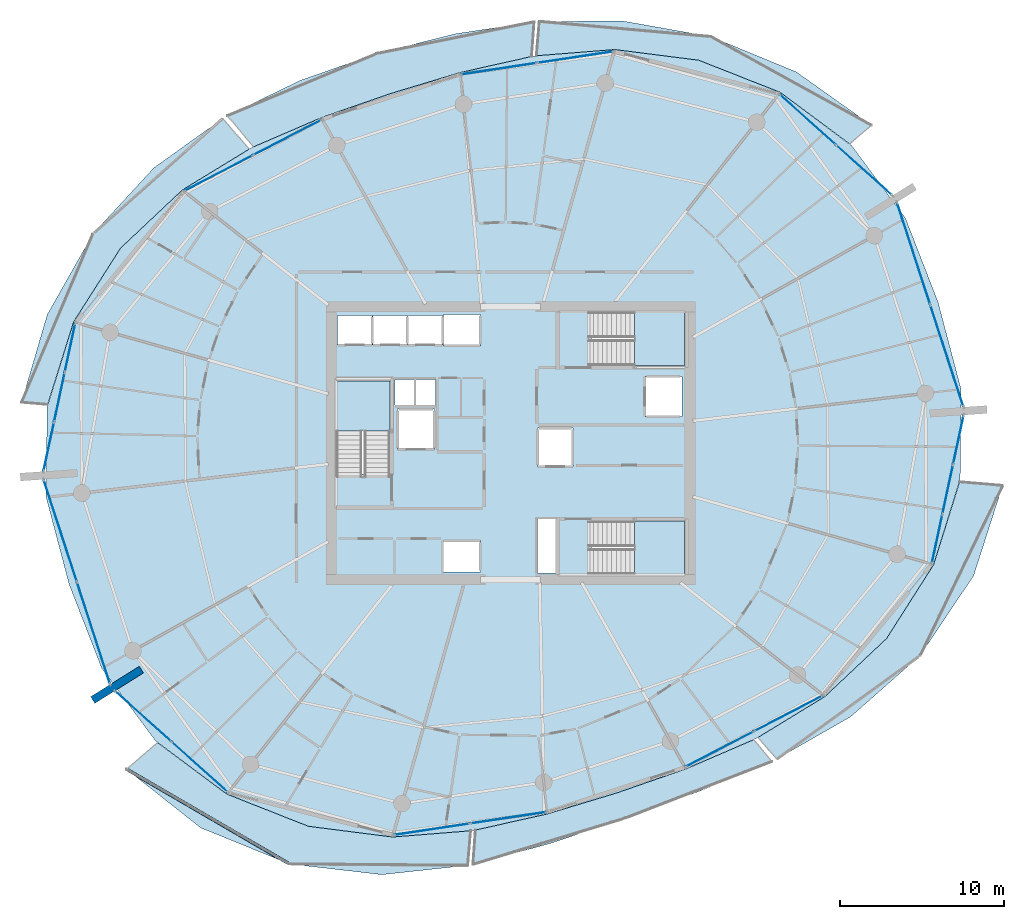
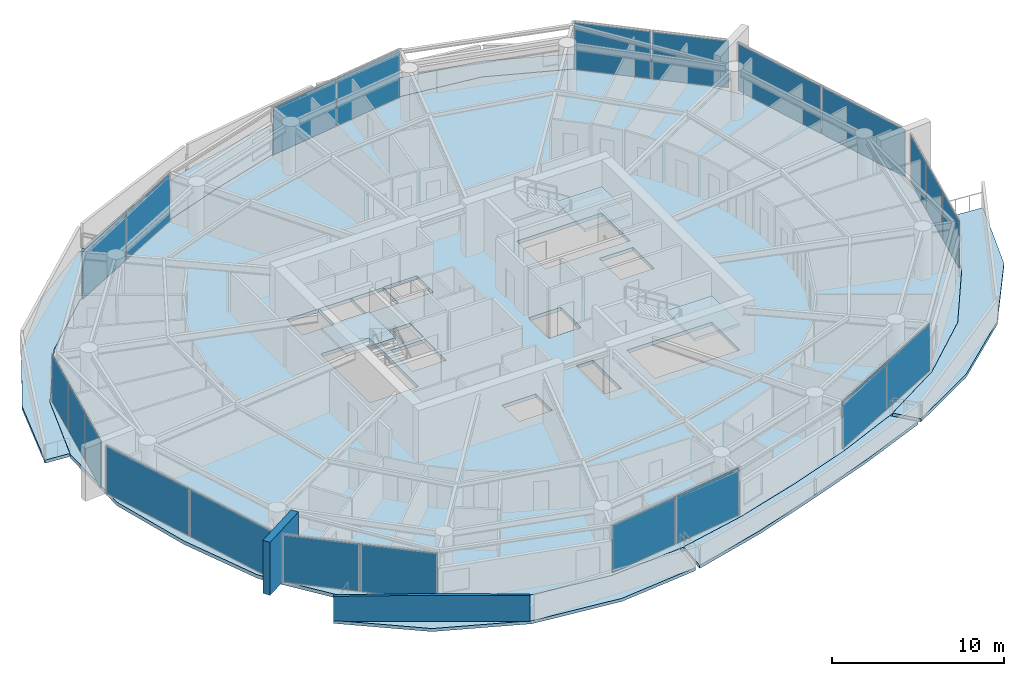
# One storey, part 10 of 21: 22 plates, 10 slabs, 2 walls, 13 elements without a shape of their own.
"""IFC4 building model written with IfcOpenShell, lengths in metres."""

import ifcopenshell
import ifcopenshell.guid

model = None  # the IFC model being written
_history = None  # IfcOwnerHistory: only IFC2X3 demands one
_inside = {}  # id of a spatial element -> (the spatial element, [elements in it])
_under = {}  # id of a project, library or spatial element -> (it, [spatial elements below it])
_declared = {}  # id of a project -> (the project, [libraries it declares])
_typed = {}  # id of a type object -> (the type object, [elements of that type])
_made_of = {}  # id of a material, layer set ... -> (it, [elements and type objects made of it])


def new_model(schema):
    """Start an empty IFC model of exactly this schema.

    Asked for "IFC4X3", IfcOpenShell would pick the latest addendum, in which some entities
    have other attributes; the version numbers below select the first issue.
    IFC2X3 requires an IfcOwnerHistory on every rooted entity: one is made here for all.
    """
    global model, _history
    if schema == "IFC4X3":
        model = ifcopenshell.file(schema_version=(4, 3, 0, 0))
    else:
        model = ifcopenshell.file(schema=schema)
    _inside.clear()
    _under.clear()
    _declared.clear()
    _typed.clear()
    _made_of.clear()
    _history = None
    if model.schema == "IFC2X3":
        org = make("IfcOrganization", Name="unknown")
        user = make(
            "IfcPersonAndOrganization",
            ThePerson=make("IfcPerson", FamilyName="unknown"),
            TheOrganization=org,
        )
        app = make(
            "IfcApplication",
            ApplicationDeveloper=org,
            Version="unknown",
            ApplicationFullName="unknown",
            ApplicationIdentifier="unknown",
        )
        _history = make(
            "IfcOwnerHistory",
            OwningUser=user,
            OwningApplication=app,
            ChangeAction="ADDED",
            CreationDate=0,
        )
    return model


def make(cls, **values):
    """One entity of the class cls with the attributes given. An attribute that is None is left unset."""
    return model.create_entity(
        cls, **{name: value for name, value in values.items() if value is not None}
    )


def rooted(cls, **values):
    """An entity with a GlobalId (a new one), such as an element, a storey or a relation."""
    return make(cls, GlobalId=ifcopenshell.guid.new(), OwnerHistory=_history, **values)


def si_unit(unit_type, name, prefix=None):
    """IfcSIUnit, for example si_unit("LENGTHUNIT", "METRE", prefix="MILLI")."""
    return make("IfcSIUnit", UnitType=unit_type, Prefix=prefix, Name=name)


def assignment(units):
    """IfcUnitAssignment: the units of a project."""
    return None if units is None else make("IfcUnitAssignment", Units=units)


def point(xyz):
    """IfcCartesianPoint."""
    return None if xyz is None else make("IfcCartesianPoint", Coordinates=xyz)


def direction(xyz):
    """IfcDirection."""
    return None if xyz is None else make("IfcDirection", DirectionRatios=xyz)


def frame(location, z_axis=None, x_axis=None):
    """IfcAxis2Placement3D, a coordinate frame: its origin and axes. An axis left out is left unset."""
    return make(
        "IfcAxis2Placement3D",
        Location=point(location),
        Axis=direction(z_axis),
        RefDirection=direction(x_axis),
    )


def frame_2d(location, x_axis=None):
    """IfcAxis2Placement2D, a coordinate frame in the plane: its origin and x axis."""
    return make(
        "IfcAxis2Placement2D", Location=point(location), RefDirection=direction(x_axis)
    )


def origin():
    """The frame at (0, 0, 0) with its axes left unset."""
    return frame((0.0, 0.0, 0.0))


def origin_2d():
    """The frame at (0, 0) in the plane with its x axis left unset."""
    return frame_2d((0.0, 0.0))


def place(relative_to, where):
    """IfcLocalPlacement: puts the frame where relative to a parent placement (None: the world)."""
    return make(
        "IfcLocalPlacement", PlacementRelTo=relative_to, RelativePlacement=where
    )


def context(
    kind, dimensions, precision=None, world=None, true_north=None, identifier=None
):
    """IfcGeometricRepresentationContext, for example the 3D "Model" context."""
    return make(
        "IfcGeometricRepresentationContext",
        ContextIdentifier=identifier,
        ContextType=kind,
        CoordinateSpaceDimension=dimensions,
        Precision=precision,
        WorldCoordinateSystem=world,
        TrueNorth=true_north,
    )


def subcontext(parent, identifier, kind, view, scale=None):
    """IfcGeometricRepresentationSubContext, for example "Body" below "Model"."""
    return make(
        "IfcGeometricRepresentationSubContext",
        ContextIdentifier=identifier,
        ContextType=kind,
        ParentContext=parent,
        TargetScale=scale,
        TargetView=view,
    )


def project(units=None, contexts=None):
    """IfcProject with its units and contexts."""
    return rooted(
        "IfcProject",
        Name="project",
        RepresentationContexts=contexts,
        UnitsInContext=assignment(units),
    )


def spatial(cls, under=None, at=None, **own):
    """A site, building, storey or space (cls), placed at a placement, below another one or the project."""
    s = rooted(cls, ObjectPlacement=at, **own)
    if under is not None:
        _under.setdefault(under.id(), (under, []))[1].append(s)
    return s


def polyline(points):
    """IfcPolyline through the points."""
    return make("IfcPolyline", Points=[point(p) for p in points])


def profile(cls, at=None, kind="AREA", **sizes):
    """A parametric profile (cls). Its sizes go by their IFC names, for example OverallWidth=200.0."""
    return make(cls, ProfileType=kind, Position=at, **sizes)


def rectangle(**sizes):
    """IfcRectangleProfileDef."""
    return profile("IfcRectangleProfileDef", **sizes)


def outline(outer, holes=None, kind="AREA"):
    """IfcArbitraryClosedProfileDef: a profile drawn as a closed curve; with holes, ...WithVoids."""
    if holes is None:
        return make("IfcArbitraryClosedProfileDef", ProfileType=kind, OuterCurve=outer)
    return make(
        "IfcArbitraryProfileDefWithVoids",
        ProfileType=kind,
        OuterCurve=outer,
        InnerCurves=holes,
    )


def extrude(swept, where, along, depth):
    """IfcExtrudedAreaSolid: the profile swept, set in the frame where, extruded along a direction by depth."""
    return make(
        "IfcExtrudedAreaSolid",
        SweptArea=swept,
        Position=where,
        ExtrudedDirection=direction(along),
        Depth=depth,
    )


def shape(context_of_items, identifier, shape_type, items):
    """IfcShapeRepresentation: the items that make up one representation, for example the "Body"."""
    return make(
        "IfcShapeRepresentation",
        ContextOfItems=context_of_items,
        RepresentationIdentifier=identifier,
        RepresentationType=shape_type,
        Items=items,
    )


def material(Name=None, Category=None):
    """IfcMaterial."""
    return make("IfcMaterial", Name=Name, Category=Category)


def layer(
    of_material, thickness, ventilated=None, Name=None, Category=None, Priority=None
):
    """IfcMaterialLayer: one layer of a wall or slab, of a material (None: an air gap)."""
    return make(
        "IfcMaterialLayer",
        Material=of_material,
        LayerThickness=thickness,
        IsVentilated=ventilated,
        Name=Name,
        Category=Category,
        Priority=Priority,
    )


def layer_set(layers, Name=None):
    """IfcMaterialLayerSet."""
    return make("IfcMaterialLayerSet", MaterialLayers=layers, LayerSetName=Name)


def made_of(thing, what):
    """Note that an element or type object is made of a material, layer set ...; save() writes the relation."""
    if what is not None:
        _made_of.setdefault(what.id(), (what, []))[1].append(thing)
    return thing


def type_object(cls, material=None, **own):
    """A type object (cls), such as IfcWallType, which elements share."""
    return made_of(rooted(cls, **own), material)


def element(
    cls,
    number,
    at=None,
    inside=None,
    cuts=None,
    type_object=None,
    material=None,
    context=None,
    identifier="Body",
    shape_type=None,
    held_by="IfcProductDefinitionShape",
    body=None,
    shapes=None,
    **own,
):
    """One element of the class cls, such as IfcWall. Its Tag is "e" and its number.

    at: its placement. inside: the storey or other place that contains it. cuts: it is an
    opening in that element (IfcRelVoidsElement). A single representation is given by context,
    identifier, shape_type and body (its items); several are given by shapes. held_by: the class
    of the entity that holds the representations. save() writes the other relations.
    """
    e = rooted(cls, Tag="e%d" % number, ObjectPlacement=at, **own)
    if body is not None:
        shapes = [shape(context, identifier, shape_type, body)]
    if shapes is not None:
        e.Representation = make(held_by, Representations=shapes)
    if inside is not None:
        _inside.setdefault(inside.id(), (inside, []))[1].append(e)
    if cuts is not None:
        rooted(
            "IfcRelVoidsElement", RelatingBuildingElement=cuts, RelatedOpeningElement=e
        )
    if type_object is not None:
        _typed.setdefault(type_object.id(), (type_object, []))[1].append(e)
    return made_of(e, material)


def aggregate(whole, parts):
    """IfcRelAggregates: a whole, such as a stair, and the parts it consists of."""
    return rooted("IfcRelAggregates", RelatingObject=whole, RelatedObjects=parts)


def save(model, path):
    """Write the relations noted so far, then the file.

    IfcRelAggregates (storeys below a building ...), IfcRelContainedInSpatialStructure (elements
    in a storey), IfcRelDefinesByType, IfcRelAssociatesMaterial and IfcRelDeclares: one each for
    every whole, place, type object, material and project.
    """
    for whole, parts in _under.values():
        aggregate(whole, parts)
    for where, things in _inside.values():
        rooted(
            "IfcRelContainedInSpatialStructure",
            RelatedElements=things,
            RelatingStructure=where,
        )
    for kind, things in _typed.values():
        rooted("IfcRelDefinesByType", RelatedObjects=things, RelatingType=kind)
    for what, things in _made_of.values():
        rooted("IfcRelAssociatesMaterial", RelatedObjects=things, RelatingMaterial=what)
    for by, libraries in _declared.values():
        rooted("IfcRelDeclares", RelatingContext=by, RelatedDefinitions=libraries)
    model.write(path)


model = new_model("IFC4")

# Units and contexts
model_context = context("Model", 3, precision=1e-05, world=origin(), true_north=direction((0.0, 1.0)))
body_context = subcontext(model_context, "Body", "Model", "MODEL_VIEW")
ifc_project = project(units=[si_unit("LENGTHUNIT", "METRE"), si_unit("AREAUNIT", "SQUARE_METRE"), si_unit("VOLUMEUNIT", "CUBIC_METRE"), si_unit("PLANEANGLEUNIT", "RADIAN"), si_unit("MASSUNIT", "GRAM", prefix="KILO")], contexts=[model_context])

# Site, building, storey
site_placement = place(None, origin())
site = spatial("IfcSite", under=ifc_project, at=site_placement, CompositionType="ELEMENT")
building_placement = place(site_placement, origin())
building = spatial("IfcBuilding", under=site, at=building_placement, Name="Kazma Halo Residences", CompositionType="ELEMENT")
storey_placement = place(building_placement, frame((0.0, 0.0, 180.300048828125)))
storey = spatial("IfcBuildingStorey", under=building, at=storey_placement, Name="L45", CompositionType="ELEMENT", Elevation=180.300048828125)

# Curtain wall, plates
ifc_material_1 = material(Name="Aluminium AW-6063 T6 and Triple-Silver Low-E Glass", Category="aluminium")
ifc_layer_1 = layer(ifc_material_1, 0.219970703125)
ifc_layer_set_1 = layer_set([ifc_layer_1], Name="Aluminium AW-6063 T6 and Triple-Silver Low-E Glass")
curtain_wall_type = type_object("IfcCurtainWallType", Name="CW-SYS-4", PredefinedType="NOTDEFINED", material=ifc_layer_set_1)
curtain_wall_1_placement = place(storey_placement, origin())
curtain_wall_1 = element("IfcCurtainWall", 1, at=curtain_wall_1_placement, inside=storey, type_object=curtain_wall_type, Name="L45 unitised curtain wall B01", PredefinedType="NOTDEFINED")
ifc_material_2 = material(Name="Clear Triple-Silver Low-E Glass IGU", Category="glass")
ifc_layer_2 = layer(ifc_material_2, 0.033935546875)
ifc_layer_set_2 = layer_set([ifc_layer_2], Name="Clear Triple-Silver Low-E Glass IGU")
plate_type = type_object("IfcPlateType", Name="CW-SYS-4-PNL", PredefinedType="CURTAIN_PANEL", material=ifc_layer_set_2)
plate_1_placement = place(storey_placement, frame((70.001220703125, 58.669677734375, 0.074951171875), z_axis=(0.0, 0.0, 1.0), x_axis=(-0.744354814723, 0.667784328806, 0.0)))
plate_1 = element("IfcPlate", 2, at=plate_1_placement, type_object=plate_type, Name="CWS-4 panel 1.1", PredefinedType="CURTAIN_PANEL", context=body_context, shape_type="SweptSolid", body=[
    extrude(rectangle(XDim=4.5478515625, YDim=0.033935546875, at=origin_2d()), origin(), (0.0, 0.0, 1.0), 3.35009765625),
])
plate_2_placement = place(storey_placement, frame((66.56005859375, 61.7568359375, 0.074951171875), z_axis=(0.0, 0.0, 1.0), x_axis=(-0.744354814723, 0.667784328806, 0.0)))
plate_2 = element("IfcPlate", 3, at=plate_2_placement, type_object=plate_type, Name="CWS-4 panel 2.1", PredefinedType="CURTAIN_PANEL", context=body_context, shape_type="SweptSolid", body=[
    extrude(rectangle(XDim=4.5478515625, YDim=0.033935546875, at=origin_2d()), origin(), (0.0, 0.0, 1.0), 3.35009765625),
])
aggregate(curtain_wall_1, [plate_1, plate_2])

curtain_wall_2_placement = place(storey_placement, origin())
curtain_wall_2 = element("IfcCurtainWall", 4, at=curtain_wall_2_placement, inside=storey, type_object=curtain_wall_type, Name="L45 unitised curtain wall B03", PredefinedType="NOTDEFINED")
plate_3_placement = place(storey_placement, frame((52.375, 65.562255859375, 0.074951171875), z_axis=(0.0, 0.0, 1.0), x_axis=(-0.988871428361, -0.148772639188, 0.0)))
plate_3 = element("IfcPlate", 5, at=plate_3_placement, type_object=plate_type, Name="CWS-4 panel 1.1", PredefinedType="CURTAIN_PANEL", context=body_context, shape_type="SweptSolid", body=[
    extrude(rectangle(XDim=4.64501953125, YDim=0.033935546875, at=origin_2d()), origin(), (0.0, 0.0, 1.0), 3.35009765625),
])
plate_4_placement = place(storey_placement, frame((47.70751953125, 64.860107421875, 0.074951171875), z_axis=(0.0, 0.0, 1.0), x_axis=(-0.988871428361, -0.148772639188, 0.0)))
plate_4 = element("IfcPlate", 6, at=plate_4_placement, type_object=plate_type, Name="CWS-4 panel 2.1", PredefinedType="CURTAIN_PANEL", context=body_context, shape_type="SweptSolid", body=[
    extrude(rectangle(XDim=4.64501953125, YDim=0.033935546875, at=origin_2d()), origin(), (0.0, 0.0, 1.0), 3.35009765625),
])
aggregate(curtain_wall_2, [plate_3, plate_4])

curtain_wall_3_placement = place(storey_placement, origin())
curtain_wall_3 = element("IfcCurtainWall", 7, at=curtain_wall_3_placement, inside=storey, type_object=curtain_wall_type, Name="L45 unitised curtain wall B05", PredefinedType="NOTDEFINED")
plate_5_placement = place(storey_placement, frame((34.7998046875, 60.666015625, 0.074951171875), z_axis=(0.0, 0.0, 1.0), x_axis=(-0.887465657575, -0.460873851097, 0.0)))
plate_5 = element("IfcPlate", 8, at=plate_5_placement, type_object=plate_type, Name="CWS-4 panel 1.1", PredefinedType="CURTAIN_PANEL", context=body_context, shape_type="SweptSolid", body=[
    extrude(rectangle(XDim=4.64501953125, YDim=0.033935546875, at=origin_2d()), origin(), (0.0, 0.0, 1.0), 3.35009765625),
])
plate_6_placement = place(storey_placement, frame((30.61083984375, 58.49072265625, 0.074951171875), z_axis=(0.0, 0.0, 1.0), x_axis=(-0.887465657575, -0.460873851097, 0.0)))
plate_6 = element("IfcPlate", 9, at=plate_6_placement, type_object=plate_type, Name="CWS-4 panel 2.1", PredefinedType="CURTAIN_PANEL", context=body_context, shape_type="SweptSolid", body=[
    extrude(rectangle(XDim=4.64501953125, YDim=0.033935546875, at=origin_2d()), origin(), (0.0, 0.0, 1.0), 3.35009765625),
])
aggregate(curtain_wall_3, [plate_5, plate_6])

curtain_wall_4_placement = place(storey_placement, origin())
curtain_wall_4 = element("IfcCurtainWall", 10, at=curtain_wall_4_placement, inside=storey, type_object=curtain_wall_type, Name="L45 unitised curtain wall B07", PredefinedType="NOTDEFINED")
plate_7_placement = place(storey_placement, frame((21.53466796875, 47.833740234375, 0.074951171875), z_axis=(0.0, 0.0, 1.0), x_axis=(-0.209689543175, -0.977768017212, 0.0)))
plate_7 = element("IfcPlate", 11, at=plate_7_placement, type_object=plate_type, Name="CWS-4 panel 1.1", PredefinedType="CURTAIN_PANEL", context=body_context, shape_type="SweptSolid", body=[
    extrude(rectangle(XDim=2.994384765625, YDim=0.033935546875, at=origin_2d()), origin(), (0.0, 0.0, 1.0), 3.35009765625),
])
plate_8_placement = place(storey_placement, frame((20.88720703125, 44.814208984375, 0.074951171875), z_axis=(0.0, 0.0, 1.0), x_axis=(-0.209689543175, -0.977768017212, 0.0)))
plate_8 = element("IfcPlate", 12, at=plate_8_placement, type_object=plate_type, Name="CWS-4 panel 2.1", PredefinedType="CURTAIN_PANEL", context=body_context, shape_type="SweptSolid", body=[
    extrude(rectangle(XDim=3.031982421875, YDim=0.033935546875, at=origin_2d()), origin(), (0.0, 0.0, 1.0), 3.35009765625),
])
plate_9_placement = place(storey_placement, frame((20.239501953125, 41.794677734375, 0.074951171875), z_axis=(0.0, 0.0, 1.0), x_axis=(-0.209689543175, -0.977768017212, 0.0)))
plate_9 = element("IfcPlate", 13, at=plate_9_placement, type_object=plate_type, Name="CWS-4 panel 3.1", PredefinedType="CURTAIN_PANEL", context=body_context, shape_type="SweptSolid", body=[
    extrude(rectangle(XDim=2.994384765625, YDim=0.033935546875, at=origin_2d()), origin(), (0.0, 0.0, 1.0), 3.35009765625),
])
aggregate(curtain_wall_4, [plate_7, plate_8, plate_9])

curtain_wall_5_placement = place(storey_placement, origin())
curtain_wall_5 = element("IfcCurtainWall", 14, at=curtain_wall_5_placement, inside=storey, type_object=curtain_wall_type, Name="L45 unitised curtain wall B08", PredefinedType="NOTDEFINED")
plate_10_placement = place(storey_placement, frame((20.942626953125, 36.658447265625, 0.074951171875), z_axis=(0.0, 0.0, 1.0), x_axis=(0.309015833038, -0.951056893636, 0.0)))
plate_10 = element("IfcPlate", 15, at=plate_10_placement, type_object=plate_type, Name="CWS-4 panel 1.1", PredefinedType="CURTAIN_PANEL", context=body_context, shape_type="SweptSolid", body=[
    extrude(rectangle(XDim=6.487060546875, YDim=0.033935546875, at=origin_2d()), origin(), (0.0, 0.0, 1.0), 3.35009765625),
])
plate_11_placement = place(storey_placement, frame((22.970458984375, 30.41748046875, 0.074951171875), z_axis=(0.0, 0.0, 1.0), x_axis=(0.309015833038, -0.951056893636, 0.0)))
plate_11 = element("IfcPlate", 16, at=plate_11_placement, type_object=plate_type, Name="CWS-4 panel 2.1", PredefinedType="CURTAIN_PANEL", context=body_context, shape_type="SweptSolid", body=[
    extrude(rectangle(XDim=6.487060546875, YDim=0.033935546875, at=origin_2d()), origin(), (0.0, 0.0, 1.0), 3.35009765625),
])
aggregate(curtain_wall_5, [plate_10, plate_11])

curtain_wall_6_placement = place(storey_placement, origin())
curtain_wall_6 = element("IfcCurtainWall", 17, at=curtain_wall_6_placement, inside=storey, type_object=curtain_wall_type, Name="L45 unitised curtain wall B09", PredefinedType="NOTDEFINED")
plate_12_placement = place(storey_placement, frame((25.998779296875, 25.330322265625, 0.074951171875), z_axis=(0.0, 0.0, 1.0), x_axis=(0.744354814723, -0.667784328806, 0.0)))
plate_12 = element("IfcPlate", 18, at=plate_12_placement, type_object=plate_type, Name="CWS-4 panel 1.1", PredefinedType="CURTAIN_PANEL", context=body_context, shape_type="SweptSolid", body=[
    extrude(rectangle(XDim=4.5478515625, YDim=0.033935546875, at=origin_2d()), origin(), (0.0, 0.0, 1.0), 3.35009765625),
])
plate_13_placement = place(storey_placement, frame((29.43994140625, 22.2431640625, 0.074951171875), z_axis=(0.0, 0.0, 1.0), x_axis=(0.744354814723, -0.667784328806, 0.0)))
plate_13 = element("IfcPlate", 19, at=plate_13_placement, type_object=plate_type, Name="CWS-4 panel 2.1", PredefinedType="CURTAIN_PANEL", context=body_context, shape_type="SweptSolid", body=[
    extrude(rectangle(XDim=4.5478515625, YDim=0.033935546875, at=origin_2d()), origin(), (0.0, 0.0, 1.0), 3.35009765625),
])
aggregate(curtain_wall_6, [plate_12, plate_13])

curtain_wall_7_placement = place(storey_placement, origin())
curtain_wall_7 = element("IfcCurtainWall", 20, at=curtain_wall_7_placement, inside=storey, type_object=curtain_wall_type, Name="L45 unitised curtain wall B11", PredefinedType="NOTDEFINED")
plate_14_placement = place(storey_placement, frame((43.625, 18.437744140625, 0.074951171875), z_axis=(0.0, 0.0, 1.0), x_axis=(0.988871428361, 0.148772639188, 0.0)))
plate_14 = element("IfcPlate", 21, at=plate_14_placement, type_object=plate_type, Name="CWS-4 panel 1.1", PredefinedType="CURTAIN_PANEL", context=body_context, shape_type="SweptSolid", body=[
    extrude(rectangle(XDim=4.64501953125, YDim=0.033935546875, at=origin_2d()), origin(), (0.0, 0.0, 1.0), 3.35009765625),
])
plate_15_placement = place(storey_placement, frame((48.29248046875, 19.139892578125, 0.074951171875), z_axis=(0.0, 0.0, 1.0), x_axis=(0.988871428361, 0.148772639188, 0.0)))
plate_15 = element("IfcPlate", 22, at=plate_15_placement, type_object=plate_type, Name="CWS-4 panel 2.1", PredefinedType="CURTAIN_PANEL", context=body_context, shape_type="SweptSolid", body=[
    extrude(rectangle(XDim=4.64501953125, YDim=0.033935546875, at=origin_2d()), origin(), (0.0, 0.0, 1.0), 3.35009765625),
])
aggregate(curtain_wall_7, [plate_14, plate_15])

curtain_wall_8_placement = place(storey_placement, origin())
curtain_wall_8 = element("IfcCurtainWall", 23, at=curtain_wall_8_placement, inside=storey, type_object=curtain_wall_type, Name="L45 unitised curtain wall B13", PredefinedType="NOTDEFINED")
plate_16_placement = place(storey_placement, frame((61.2001953125, 23.333984375, 0.074951171875), z_axis=(0.0, 0.0, 1.0), x_axis=(0.887465657575, 0.460873851097, 0.0)))
plate_16 = element("IfcPlate", 24, at=plate_16_placement, type_object=plate_type, Name="CWS-4 panel 1.1", PredefinedType="CURTAIN_PANEL", context=body_context, shape_type="SweptSolid", body=[
    extrude(rectangle(XDim=4.64501953125, YDim=0.033935546875, at=origin_2d()), origin(), (0.0, 0.0, 1.0), 3.35009765625),
])
plate_17_placement = place(storey_placement, frame((65.38916015625, 25.50927734375, 0.074951171875), z_axis=(0.0, 0.0, 1.0), x_axis=(0.887465657575, 0.460873851097, 0.0)))
plate_17 = element("IfcPlate", 25, at=plate_17_placement, type_object=plate_type, Name="CWS-4 panel 2.1", PredefinedType="CURTAIN_PANEL", context=body_context, shape_type="SweptSolid", body=[
    extrude(rectangle(XDim=4.64501953125, YDim=0.033935546875, at=origin_2d()), origin(), (0.0, 0.0, 1.0), 3.35009765625),
])
aggregate(curtain_wall_8, [plate_16, plate_17])

curtain_wall_9_placement = place(storey_placement, origin())
curtain_wall_9 = element("IfcCurtainWall", 26, at=curtain_wall_9_placement, inside=storey, type_object=curtain_wall_type, Name="L45 unitised curtain wall B15", PredefinedType="NOTDEFINED")
plate_18_placement = place(storey_placement, frame((74.46533203125, 36.166259765625, 0.074951171875), z_axis=(0.0, 0.0, 1.0), x_axis=(0.209689543175, 0.977768017212, 0.0)))
plate_18 = element("IfcPlate", 27, at=plate_18_placement, type_object=plate_type, Name="CWS-4 panel 1.1", PredefinedType="CURTAIN_PANEL", context=body_context, shape_type="SweptSolid", body=[
    extrude(rectangle(XDim=2.994384765625, YDim=0.033935546875, at=origin_2d()), origin(), (0.0, 0.0, 1.0), 3.35009765625),
])
plate_19_placement = place(storey_placement, frame((75.11279296875, 39.185791015625, 0.074951171875), z_axis=(0.0, 0.0, 1.0), x_axis=(0.209689543175, 0.977768017212, 0.0)))
plate_19 = element("IfcPlate", 28, at=plate_19_placement, type_object=plate_type, Name="CWS-4 panel 2.1", PredefinedType="CURTAIN_PANEL", context=body_context, shape_type="SweptSolid", body=[
    extrude(rectangle(XDim=3.031982421875, YDim=0.033935546875, at=origin_2d()), origin(), (0.0, 0.0, 1.0), 3.35009765625),
])
plate_20_placement = place(storey_placement, frame((75.760498046875, 42.205322265625, 0.074951171875), z_axis=(0.0, 0.0, 1.0), x_axis=(0.209689543175, 0.977768017212, 0.0)))
plate_20 = element("IfcPlate", 29, at=plate_20_placement, type_object=plate_type, Name="CWS-4 panel 3.1", PredefinedType="CURTAIN_PANEL", context=body_context, shape_type="SweptSolid", body=[
    extrude(rectangle(XDim=2.994384765625, YDim=0.033935546875, at=origin_2d()), origin(), (0.0, 0.0, 1.0), 3.35009765625),
])
aggregate(curtain_wall_9, [plate_18, plate_19, plate_20])

curtain_wall_10_placement = place(storey_placement, origin())
curtain_wall_10 = element("IfcCurtainWall", 30, at=curtain_wall_10_placement, inside=storey, type_object=curtain_wall_type, Name="L45 unitised curtain wall B16", PredefinedType="NOTDEFINED")
plate_21_placement = place(storey_placement, frame((75.057373046875, 47.341552734375, 0.074951171875), z_axis=(0.0, 0.0, 1.0), x_axis=(-0.309015833038, 0.951056893636, 0.0)))
plate_21 = element("IfcPlate", 31, at=plate_21_placement, type_object=plate_type, Name="CWS-4 panel 1.1", PredefinedType="CURTAIN_PANEL", context=body_context, shape_type="SweptSolid", body=[
    extrude(rectangle(XDim=6.487060546875, YDim=0.033935546875, at=origin_2d()), origin(), (0.0, 0.0, 1.0), 3.35009765625),
])
plate_22_placement = place(storey_placement, frame((73.029541015625, 53.58251953125, 0.074951171875), z_axis=(0.0, 0.0, 1.0), x_axis=(-0.309015833038, 0.951056893636, 0.0)))
plate_22 = element("IfcPlate", 32, at=plate_22_placement, type_object=plate_type, Name="CWS-4 panel 2.1", PredefinedType="CURTAIN_PANEL", context=body_context, shape_type="SweptSolid", body=[
    extrude(rectangle(XDim=6.487060546875, YDim=0.033935546875, at=origin_2d()), origin(), (0.0, 0.0, 1.0), 3.35009765625),
])
aggregate(curtain_wall_10, [plate_21, plate_22])

# Slabs
ifc_material_3 = material(Name="White Concrete C50/60", Category="concrete")
ifc_layer_3 = layer(ifc_material_3, 0.219970703125)
ifc_layer_set_3 = layer_set([ifc_layer_3], Name="White Concrete C50/60")
slab_type_1 = type_object("IfcSlabType", Name="SLB-BAL-WAVE-210", PredefinedType="FLOOR", material=ifc_layer_set_3)
slab_1_placement = place(storey_placement, frame((0.0, 0.0, -0.219970703125)))
element("IfcSlab", 33, at=slab_1_placement, inside=storey, type_object=slab_type_1, Name="L45 NE cantilevered wave balcony slab", PredefinedType="FLOOR", context=body_context, shape_type="SweptSolid", body=[
    extrude(outline(polyline([(69.130126953125, 60.271240234375), (64.88720703125, 63.421142578125), (59.913818359375, 65.382080078125), (54.779052734375, 66.036376953125), (50.007080078125, 65.656005859375), (50.184814453125, 67.748046875), (55.27001953125, 67.777587890625), (60.648193359375, 66.8232421875), (65.8701171875, 64.668212890625), (70.44970703125, 61.412353515625), (69.130126953125, 60.271240234375)])), origin(), (0.0, 0.0, 1.0), 0.219970703125),
])
slab_2_placement = place(storey_placement, frame((0.0, 0.0, -0.219970703125)))
element("IfcSlab", 34, at=slab_2_placement, inside=storey, type_object=slab_type_1, Name="L45 NNW cantilevered wave balcony slab", PredefinedType="FLOOR", context=body_context, shape_type="SweptSolid", body=[
    extrude(outline(polyline([(49.713134765625, 65.612060546875), (45.322265625, 64.62451171875), (41.066650390625, 63.338623046875), (36.867919921875, 61.877685546875), (32.735107421875, 60.095458984375), (31.13671875, 61.990478515625), (35.59375, 64.153076171875), (40.27001953125, 65.790771484375), (45.041748046875, 66.994873046875), (49.8662109375, 67.720703125), (49.713134765625, 65.612060546875)])), origin(), (0.0, 0.0, 1.0), 0.219970703125),
])
slab_3_placement = place(storey_placement, frame((0.0, 0.0, -0.219970703125)))
element("IfcSlab", 35, at=slab_3_placement, inside=storey, type_object=slab_type_1, Name="L45 NW cantilevered wave balcony slab", PredefinedType="FLOOR", context=body_context, shape_type="SweptSolid", body=[
    extrude(outline(polyline([(32.471435546875, 59.958251953125), (28.387451171875, 57.461181640625), (24.617919921875, 53.913818359375), (21.7470703125, 49.404052734375), (20.165771484375, 44.36181640625), (18.572509765625, 44.4970703125), (20.143798828125, 49.856201171875), (22.926025390625, 54.77587890625), (26.66015625, 58.822998046875), (30.855712890625, 61.82666015625), (32.471435546875, 59.958251953125)])), origin(), (0.0, 0.0, 1.0), 0.219970703125),
])
slab_4_placement = place(storey_placement, frame((0.0, 0.0, -0.219970703125)))
element("IfcSlab", 36, at=slab_4_placement, inside=storey, type_object=slab_type_1, Name="L45 SW cantilevered wave balcony slab", PredefinedType="FLOOR", context=body_context, shape_type="SweptSolid", body=[
    extrude(outline(polyline([(26.869873046875, 23.728759765625), (31.11279296875, 20.578857421875), (36.086181640625, 18.617919921875), (41.220947265625, 17.963623046875), (45.992919921875, 18.343994140625), (45.813720703125, 16.23291015625), (40.572998046875, 15.666259765625), (34.915771484375, 16.320556640625), (29.498291015625, 18.53076171875), (24.98388671875, 22.097900390625), (26.869873046875, 23.728759765625)])), origin(), (0.0, 0.0, 1.0), 0.219970703125),
])
slab_5_placement = place(storey_placement, frame((0.0, 0.0, -0.219970703125)))
element("IfcSlab", 37, at=slab_5_placement, inside=storey, type_object=slab_type_1, Name="L45 SSE cantilevered wave balcony slab", PredefinedType="FLOOR", context=body_context, shape_type="SweptSolid", body=[
    extrude(outline(polyline([(46.286865234375, 18.387939453125), (50.677734375, 19.37548828125), (54.933349609375, 20.661376953125), (59.132080078125, 22.122314453125), (63.264892578125, 23.904541015625), (64.380615234375, 22.581787109375), (59.907958984375, 20.73681640625), (55.43310546875, 19.123046875), (50.890380859375, 17.578857421875), (46.135009765625, 16.29833984375), (46.286865234375, 18.387939453125)])), origin(), (0.0, 0.0, 1.0), 0.219970703125),
])
slab_6_placement = place(storey_placement, frame((0.0, 0.0, -0.219970703125)))
element("IfcSlab", 38, at=slab_6_placement, inside=storey, type_object=slab_type_1, Name="L45 SE cantilevered wave balcony slab", PredefinedType="FLOOR", context=body_context, shape_type="SweptSolid", body=[
    extrude(outline(polyline([(63.528564453125, 24.041748046875), (67.612548828125, 26.538818359375), (71.382080078125, 30.086181640625), (74.2529296875, 34.595947265625), (75.834228515625, 39.63818359375), (78.463623046875, 39.4150390625), (76.688232421875, 33.908935546875), (73.4287109375, 29.04345703125), (69.180419921875, 25.302490234375), (64.672119140625, 22.71923828125), (63.528564453125, 24.041748046875)])), origin(), (0.0, 0.0, 1.0), 0.219970703125),
])
ifc_material_4 = material(Name="Concrete C50/60", Category="concrete")
ifc_layer_4 = layer(ifc_material_4, 0.25)
ifc_layer_set_4 = layer_set([ifc_layer_4], Name="Concrete C50/60")
slab_type_2 = type_object("IfcSlabType", Name="SLB-RES-250", PredefinedType="FLOOR", material=ifc_layer_set_4)
slab_7_placement = place(storey_placement, frame((0.0, 0.0, -0.25)))
element("IfcSlab", 39, at=slab_7_placement, inside=storey, type_object=slab_type_2, Name="L45 structural floor slab", PredefinedType="FLOOR", context=body_context, shape_type="SweptSolid", body=[
    extrude(outline(polyline([(74.521484375, 50.617431640625), (72.531982421875, 55.738525390625), (69.2587890625, 60.156494140625), (64.8857421875, 63.41943359375), (59.912841796875, 65.380126953125), (54.7783203125, 66.034423828125), (49.860595703125, 65.64111328125), (45.322509765625, 64.62255859375), (41.0673828125, 63.336669921875), (36.868896484375, 61.875732421875), (32.598876953125, 60.032470703125), (28.388916015625, 57.460205078125), (24.619873046875, 53.912841796875), (21.7490234375, 49.403564453125), (20.129150390625, 44.193603515625), (20.07763671875, 38.6953125), (21.478515625, 33.382568359375), (23.468017578125, 28.261474609375), (26.7412109375, 23.843505859375), (31.1142578125, 20.58056640625), (36.087158203125, 18.619873046875), (41.2216796875, 17.965576171875), (46.139404296875, 18.35888671875), (50.677490234375, 19.37744140625), (54.9326171875, 20.663330078125), (59.131103515625, 22.124267578125), (63.401123046875, 23.967529296875), (67.611083984375, 26.539794921875), (71.380126953125, 30.087158203125), (74.2509765625, 34.596435546875), (75.870849609375, 39.806396484375), (75.92236328125, 45.3046875), (74.521484375, 50.617431640625)]), holes=[polyline([(37.800048828125, 40.110107421875), (41.050048828125, 40.110107421875), (41.050048828125, 45.800048828125), (37.800048828125, 45.800048828125), (37.800048828125, 40.110107421875)]), polyline([(53.360107421875, 46.75), (59.050048828125, 46.75), (59.050048828125, 50.0), (53.360107421875, 50.0), (53.360107421875, 46.75)]), polyline([(53.360107421875, 34.0), (59.050048828125, 34.0), (59.050048828125, 37.25), (53.360107421875, 37.25), (53.360107421875, 34.0)]), polyline([(41.52001953125, 41.6201171875), (43.780029296875, 41.6201171875), (43.780029296875, 44.080078125), (41.52001953125, 44.080078125), (41.52001953125, 41.6201171875)]), polyline([(56.6201171875, 43.6201171875), (58.8798828125, 43.6201171875), (58.8798828125, 46.080078125), (56.6201171875, 46.080078125), (56.6201171875, 43.6201171875)]), polyline([(37.864990234375, 47.9951171875), (39.97509765625, 47.9951171875), (39.97509765625, 49.804931640625), (37.864990234375, 49.804931640625), (37.864990234375, 47.9951171875)]), polyline([(40.014892578125, 47.9951171875), (42.125, 47.9951171875), (42.125, 49.804931640625), (40.014892578125, 49.804931640625), (40.014892578125, 47.9951171875)]), polyline([(42.1650390625, 47.9951171875), (44.27490234375, 47.9951171875), (44.27490234375, 49.804931640625), (42.1650390625, 49.804931640625), (42.1650390625, 47.9951171875)]), polyline([(44.320068359375, 47.945068359375), (46.580078125, 47.945068359375), (46.580078125, 49.85498046875), (44.320068359375, 49.85498046875), (44.320068359375, 47.945068359375)]), polyline([(44.320068359375, 34.14501953125), (46.580078125, 34.14501953125), (46.580078125, 36.054931640625), (44.320068359375, 36.054931640625), (44.320068359375, 34.14501953125)]), polyline([(50.070068359375, 40.570068359375), (52.22998046875, 40.570068359375), (52.22998046875, 42.929931640625), (50.070068359375, 42.929931640625), (50.070068359375, 40.570068359375)]), polyline([(41.360107421875, 44.340087890625), (42.5400390625, 44.340087890625), (42.5400390625, 45.89990234375), (41.360107421875, 45.89990234375), (41.360107421875, 44.340087890625)]), polyline([(42.659912109375, 44.340087890625), (43.840087890625, 44.340087890625), (43.840087890625, 45.89990234375), (42.659912109375, 45.89990234375), (42.659912109375, 44.340087890625)]), polyline([(50.06005859375, 34.080078125), (51.159912109375, 34.080078125), (51.159912109375, 37.3798828125), (50.06005859375, 37.3798828125), (50.06005859375, 34.080078125)])]), origin(), (0.0, 0.0, 1.0), 0.25),
])

# Stair, slab
stair_type = type_object("IfcStairType", Name="STR-RES1", PredefinedType="HALF_TURN_STAIR", material=ifc_material_4)
stair_1_placement = place(storey_placement, origin())
stair_1 = element("IfcStair", 40, at=stair_1_placement, inside=storey, type_object=stair_type, Name="L45 Core exit stair ST-01", PredefinedType="HALF_TURN_STAIR")
ifc_layer_5 = layer(ifc_material_4, 0.199951171875)
ifc_layer_set_5 = layer_set([ifc_layer_5], Name="Concrete C50/60")
slab_type_3 = type_object("IfcSlabType", Name="SLB-STAIR-LND-200", PredefinedType="LANDING", material=ifc_layer_set_5)
slab_8_placement = place(storey_placement, frame((0.0, 0.0, 1.675048828125)))
slab_8 = element("IfcSlab", 41, at=slab_8_placement, type_object=slab_type_3, Name="ST-01 landing 1", PredefinedType="LANDING", context=body_context, shape_type="SweptSolid", body=[
    extrude(outline(polyline([(41.050048828125, 42.75), (41.050048828125, 45.800048828125), (37.800048828125, 45.800048828125), (37.800048828125, 42.75), (41.050048828125, 42.75)])), origin(), (0.0, 0.0, 1.0), 0.199951171875),
])
aggregate(stair_1, [slab_8])

stair_2_placement = place(storey_placement, origin())
stair_2 = element("IfcStair", 42, at=stair_2_placement, inside=storey, type_object=stair_type, Name="L45 Core exit stair ST-02", PredefinedType="HALF_TURN_STAIR")
slab_9_placement = place(storey_placement, frame((0.0, 0.0, 1.675048828125)))
slab_9 = element("IfcSlab", 43, at=slab_9_placement, type_object=slab_type_3, Name="ST-02 landing 1", PredefinedType="LANDING", context=body_context, shape_type="SweptSolid", body=[
    extrude(outline(polyline([(56.0, 46.75), (59.050048828125, 46.75), (59.050048828125, 50.0), (56.0, 50.0), (56.0, 46.75)])), origin(), (0.0, 0.0, 1.0), 0.199951171875),
])
aggregate(stair_2, [slab_9])

stair_3_placement = place(storey_placement, origin())
stair_3 = element("IfcStair", 44, at=stair_3_placement, inside=storey, type_object=stair_type, Name="L45 Core exit stair ST-03", PredefinedType="HALF_TURN_STAIR")
slab_10_placement = place(storey_placement, frame((0.0, 0.0, 1.675048828125)))
slab_10 = element("IfcSlab", 45, at=slab_10_placement, type_object=slab_type_3, Name="ST-03 landing 1", PredefinedType="LANDING", context=body_context, shape_type="SweptSolid", body=[
    extrude(outline(polyline([(56.0, 34.0), (59.050048828125, 34.0), (59.050048828125, 37.25), (56.0, 37.25), (56.0, 34.0)])), origin(), (0.0, 0.0, 1.0), 0.199951171875),
])
aggregate(stair_3, [slab_10])

# Walls
ifc_material_5 = material(Name="White Concrete C50/60 Balustrade", Category="concrete")
ifc_layer_6 = layer(ifc_material_5, 0.179931640625)
ifc_layer_set_6 = layer_set([ifc_layer_6], Name="White Concrete C50/60 Balustrade")
wall_type_1 = type_object("IfcWallType", Name="WL-BAL-WAVE-180", PredefinedType="PARAPET", material=ifc_layer_set_6)
wall_1_placement = place(storey_placement, frame((24.98388671875, 22.097900390625, 0.0), z_axis=(0.0, 0.0, 1.0), x_axis=(0.864391947404, -0.502818616663, 0.0)))
element("IfcWall", 46, at=wall_1_placement, inside=storey, type_object=wall_type_1, Name="L45 white wave balustrade wall SW.1", PredefinedType="PARAPET", context=body_context, shape_type="SweptSolid", body=[
    extrude(outline(polyline([(0.0, 0.0), (11.369873046875, 0.0), (11.3701171875, 1.83203125), (5.68505859375, 1.85302734375), (0.0, 1.755859375), (0.0, 0.0)])), frame((0.0, 0.08984375, 0.0), z_axis=(0.0, -1.0, 0.0), x_axis=(1.0, 0.0, 0.0)), (0.0, 0.0, 1.0), 0.179931640625),
])
ifc_material_6 = material(Name="Pale Concrete C60/75", Category="concrete")
ifc_layer_7 = layer(ifc_material_6, 0.47998046875)
ifc_layer_set_7 = layer_set([ifc_layer_7], Name="Pale Concrete C60/75")
wall_type_2 = type_object("IfcWallType", Name="WL-BLADE-480", PredefinedType="SOLIDWALL", material=ifc_layer_set_7)
wall_2_placement = place(storey_placement, frame((25.88623046875, 28.181884765625, 0.0), z_axis=(0.0, 0.0, 1.0), x_axis=(-0.848033572426, -0.529942506352, 0.0)))
element("IfcWall", 47, at=wall_2_placement, inside=storey, type_object=wall_type_2, Name="L45 pale concrete structural blade fin wall BW-03", PredefinedType="SOLIDWALL", context=body_context, shape_type="SweptSolid", body=[
    extrude(rectangle(XDim=3.5, YDim=0.47998046875, at=frame_2d((1.75, 0.0))), origin(), (0.0, 0.0, 1.0), 3.75),
])

save(model, "model.ifc")
